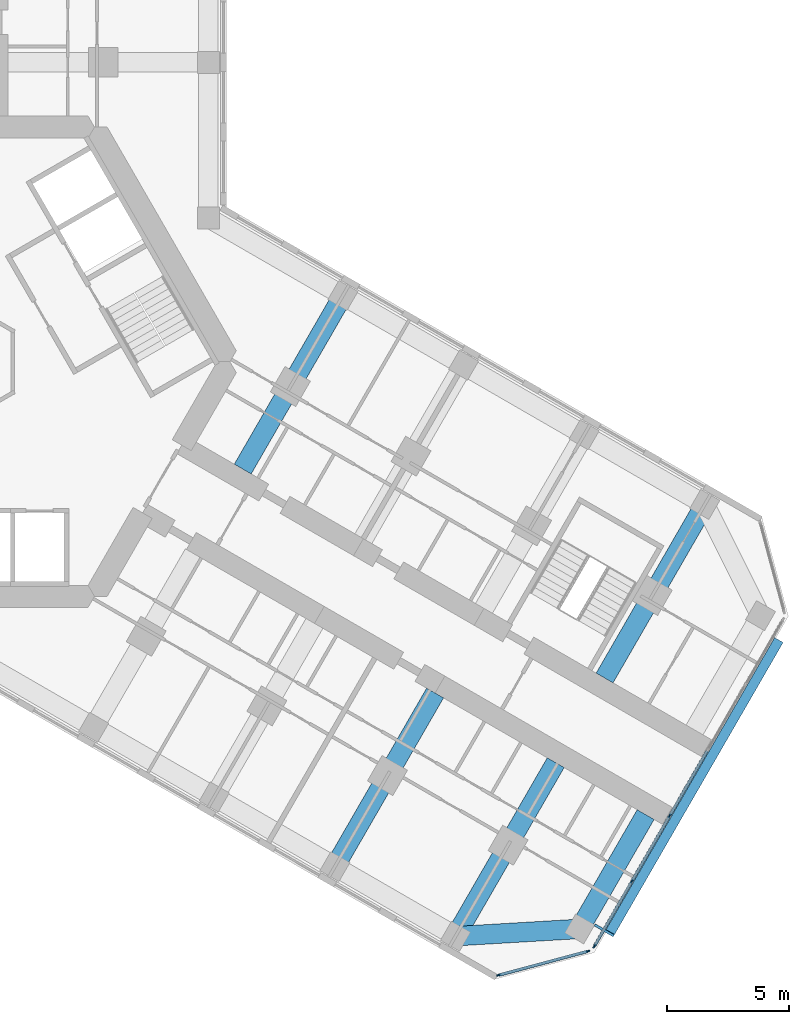
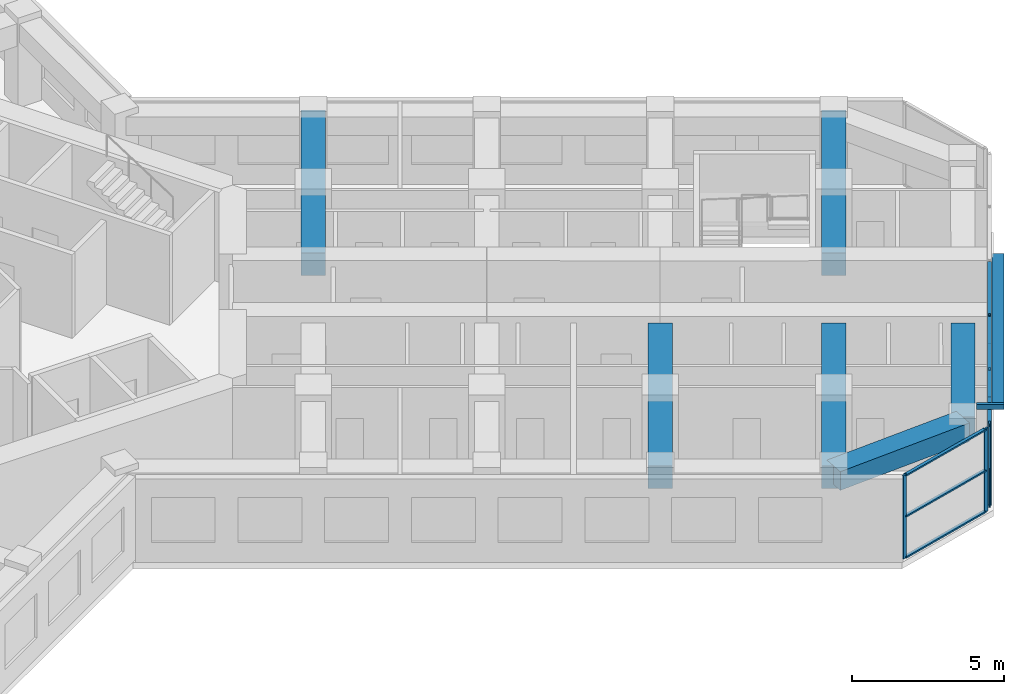
# One storey, part 5 of 19: 16 members, 6 beams, 2 elements without a shape of their own.
"""IFC4 building model written with IfcOpenShell, lengths in metres."""

import ifcopenshell
import ifcopenshell.guid

model = None  # the IFC model being written
_history = None  # IfcOwnerHistory: only IFC2X3 demands one
_inside = {}  # id of a spatial element -> (the spatial element, [elements in it])
_under = {}  # id of a project, library or spatial element -> (it, [spatial elements below it])
_declared = {}  # id of a project -> (the project, [libraries it declares])
_typed = {}  # id of a type object -> (the type object, [elements of that type])
_made_of = {}  # id of a material, layer set ... -> (it, [elements and type objects made of it])


def new_model(schema):
    """Start an empty IFC model of exactly this schema.

    Asked for "IFC4X3", IfcOpenShell would pick the latest addendum, in which some entities
    have other attributes; the version numbers below select the first issue.
    IFC2X3 requires an IfcOwnerHistory on every rooted entity: one is made here for all.
    """
    global model, _history
    if schema == "IFC4X3":
        model = ifcopenshell.file(schema_version=(4, 3, 0, 0))
    else:
        model = ifcopenshell.file(schema=schema)
    _inside.clear()
    _under.clear()
    _declared.clear()
    _typed.clear()
    _made_of.clear()
    _history = None
    if model.schema == "IFC2X3":
        org = make("IfcOrganization", Name="unknown")
        user = make(
            "IfcPersonAndOrganization",
            ThePerson=make("IfcPerson", FamilyName="unknown"),
            TheOrganization=org,
        )
        app = make(
            "IfcApplication",
            ApplicationDeveloper=org,
            Version="unknown",
            ApplicationFullName="unknown",
            ApplicationIdentifier="unknown",
        )
        _history = make(
            "IfcOwnerHistory",
            OwningUser=user,
            OwningApplication=app,
            ChangeAction="ADDED",
            CreationDate=0,
        )
    return model


def make(cls, **values):
    """One entity of the class cls with the attributes given. An attribute that is None is left unset."""
    return model.create_entity(
        cls, **{name: value for name, value in values.items() if value is not None}
    )


def rooted(cls, **values):
    """An entity with a GlobalId (a new one), such as an element, a storey or a relation."""
    return make(cls, GlobalId=ifcopenshell.guid.new(), OwnerHistory=_history, **values)


def si_unit(unit_type, name, prefix=None):
    """IfcSIUnit, for example si_unit("LENGTHUNIT", "METRE", prefix="MILLI")."""
    return make("IfcSIUnit", UnitType=unit_type, Prefix=prefix, Name=name)


def assignment(units):
    """IfcUnitAssignment: the units of a project."""
    return None if units is None else make("IfcUnitAssignment", Units=units)


def point(xyz):
    """IfcCartesianPoint."""
    return None if xyz is None else make("IfcCartesianPoint", Coordinates=xyz)


def direction(xyz):
    """IfcDirection."""
    return None if xyz is None else make("IfcDirection", DirectionRatios=xyz)


def frame(location, z_axis=None, x_axis=None):
    """IfcAxis2Placement3D, a coordinate frame: its origin and axes. An axis left out is left unset."""
    return make(
        "IfcAxis2Placement3D",
        Location=point(location),
        Axis=direction(z_axis),
        RefDirection=direction(x_axis),
    )


def frame_2d(location, x_axis=None):
    """IfcAxis2Placement2D, a coordinate frame in the plane: its origin and x axis."""
    return make(
        "IfcAxis2Placement2D", Location=point(location), RefDirection=direction(x_axis)
    )


def origin():
    """The frame at (0, 0, 0) with its axes left unset."""
    return frame((0.0, 0.0, 0.0))


def origin_2d():
    """The frame at (0, 0) in the plane with its x axis left unset."""
    return frame_2d((0.0, 0.0))


def place(relative_to, where):
    """IfcLocalPlacement: puts the frame where relative to a parent placement (None: the world)."""
    return make(
        "IfcLocalPlacement", PlacementRelTo=relative_to, RelativePlacement=where
    )


def context(
    kind, dimensions, precision=None, world=None, true_north=None, identifier=None
):
    """IfcGeometricRepresentationContext, for example the 3D "Model" context."""
    return make(
        "IfcGeometricRepresentationContext",
        ContextIdentifier=identifier,
        ContextType=kind,
        CoordinateSpaceDimension=dimensions,
        Precision=precision,
        WorldCoordinateSystem=world,
        TrueNorth=true_north,
    )


def subcontext(parent, identifier, kind, view, scale=None):
    """IfcGeometricRepresentationSubContext, for example "Body" below "Model"."""
    return make(
        "IfcGeometricRepresentationSubContext",
        ContextIdentifier=identifier,
        ContextType=kind,
        ParentContext=parent,
        TargetScale=scale,
        TargetView=view,
    )


def project(units=None, contexts=None):
    """IfcProject with its units and contexts."""
    return rooted(
        "IfcProject",
        Name="project",
        RepresentationContexts=contexts,
        UnitsInContext=assignment(units),
    )


def spatial(cls, under=None, at=None, **own):
    """A site, building, storey or space (cls), placed at a placement, below another one or the project."""
    s = rooted(cls, ObjectPlacement=at, **own)
    if under is not None:
        _under.setdefault(under.id(), (under, []))[1].append(s)
    return s


def profile(cls, at=None, kind="AREA", **sizes):
    """A parametric profile (cls). Its sizes go by their IFC names, for example OverallWidth=200.0."""
    return make(cls, ProfileType=kind, Position=at, **sizes)


def rectangle(**sizes):
    """IfcRectangleProfileDef."""
    return profile("IfcRectangleProfileDef", **sizes)


def hollow_rectangle(**sizes):
    """IfcRectangleHollowProfileDef."""
    return profile("IfcRectangleHollowProfileDef", **sizes)


def extrude(swept, where, along, depth):
    """IfcExtrudedAreaSolid: the profile swept, set in the frame where, extruded along a direction by depth."""
    return make(
        "IfcExtrudedAreaSolid",
        SweptArea=swept,
        Position=where,
        ExtrudedDirection=direction(along),
        Depth=depth,
    )


def shape(context_of_items, identifier, shape_type, items):
    """IfcShapeRepresentation: the items that make up one representation, for example the "Body"."""
    return make(
        "IfcShapeRepresentation",
        ContextOfItems=context_of_items,
        RepresentationIdentifier=identifier,
        RepresentationType=shape_type,
        Items=items,
    )


def material(Name=None, Category=None):
    """IfcMaterial."""
    return make("IfcMaterial", Name=Name, Category=Category)


def material_profile(
    of_material, cross_section, Name=None, Category=None, Priority=None
):
    """IfcMaterialProfile: a cross section and its material."""
    return make(
        "IfcMaterialProfile",
        Name=Name,
        Material=of_material,
        Profile=cross_section,
        Priority=Priority,
        Category=Category,
    )


def profile_set(profiles, Name=None, composite=None):
    """IfcMaterialProfileSet."""
    return make(
        "IfcMaterialProfileSet",
        Name=Name,
        MaterialProfiles=profiles,
        CompositeProfile=composite,
    )


def made_of(thing, what):
    """Note that an element or type object is made of a material, layer set ...; save() writes the relation."""
    if what is not None:
        _made_of.setdefault(what.id(), (what, []))[1].append(thing)
    return thing


def type_object(cls, material=None, **own):
    """A type object (cls), such as IfcWallType, which elements share."""
    return made_of(rooted(cls, **own), material)


def element(
    cls,
    number,
    at=None,
    inside=None,
    cuts=None,
    type_object=None,
    material=None,
    context=None,
    identifier="Body",
    shape_type=None,
    held_by="IfcProductDefinitionShape",
    body=None,
    shapes=None,
    **own,
):
    """One element of the class cls, such as IfcWall. Its Tag is "e" and its number.

    at: its placement. inside: the storey or other place that contains it. cuts: it is an
    opening in that element (IfcRelVoidsElement). A single representation is given by context,
    identifier, shape_type and body (its items); several are given by shapes. held_by: the class
    of the entity that holds the representations. save() writes the other relations.
    """
    e = rooted(cls, Tag="e%d" % number, ObjectPlacement=at, **own)
    if body is not None:
        shapes = [shape(context, identifier, shape_type, body)]
    if shapes is not None:
        e.Representation = make(held_by, Representations=shapes)
    if inside is not None:
        _inside.setdefault(inside.id(), (inside, []))[1].append(e)
    if cuts is not None:
        rooted(
            "IfcRelVoidsElement", RelatingBuildingElement=cuts, RelatedOpeningElement=e
        )
    if type_object is not None:
        _typed.setdefault(type_object.id(), (type_object, []))[1].append(e)
    return made_of(e, material)


def aggregate(whole, parts):
    """IfcRelAggregates: a whole, such as a stair, and the parts it consists of."""
    return rooted("IfcRelAggregates", RelatingObject=whole, RelatedObjects=parts)


def save(model, path):
    """Write the relations noted so far, then the file.

    IfcRelAggregates (storeys below a building ...), IfcRelContainedInSpatialStructure (elements
    in a storey), IfcRelDefinesByType, IfcRelAssociatesMaterial and IfcRelDeclares: one each for
    every whole, place, type object, material and project.
    """
    for whole, parts in _under.values():
        aggregate(whole, parts)
    for where, things in _inside.values():
        rooted(
            "IfcRelContainedInSpatialStructure",
            RelatedElements=things,
            RelatingStructure=where,
        )
    for kind, things in _typed.values():
        rooted("IfcRelDefinesByType", RelatedObjects=things, RelatingType=kind)
    for what, things in _made_of.values():
        rooted("IfcRelAssociatesMaterial", RelatedObjects=things, RelatingMaterial=what)
    for by, libraries in _declared.values():
        rooted("IfcRelDeclares", RelatingContext=by, RelatedDefinitions=libraries)
    model.write(path)


model = new_model("IFC4")

# Units and contexts
model_context = context("Model", 3, precision=1e-05, world=origin(), true_north=direction((0.0, 1.0)))
body_context = subcontext(model_context, "Body", "Model", "MODEL_VIEW")
ifc_project = project(units=[si_unit("LENGTHUNIT", "METRE"), si_unit("AREAUNIT", "SQUARE_METRE"), si_unit("VOLUMEUNIT", "CUBIC_METRE"), si_unit("PLANEANGLEUNIT", "RADIAN"), si_unit("MASSUNIT", "GRAM", prefix="KILO")], contexts=[model_context])

# Site, building, storey
site_placement = place(None, origin())
site = spatial("IfcSite", under=ifc_project, at=site_placement, CompositionType="ELEMENT")
building_placement = place(site_placement, origin())
building = spatial("IfcBuilding", under=site, at=building_placement, Name="Kosmar Iwan School Tower", CompositionType="ELEMENT")
storey_placement = place(building_placement, frame((0.0, 0.0, 172.39990234375)))
storey = spatial("IfcBuildingStorey", under=building, at=storey_placement, Name="L43", CompositionType="ELEMENT", Elevation=172.39990234375)

# Members
ifc_material_1 = material(Name="Black anodised aluminium", Category="aluminium")
ifc_material_profile_1 = material_profile(ifc_material_1, rectangle(XDim=0.10009765625, YDim=0.39990234375, at=origin_2d()), Name="FIN 100x400")
ifc_profile_set_1 = profile_set([ifc_material_profile_1], Name="Black anodised aluminium")
member_type_1 = type_object("IfcMemberType", Name="Diagonal fin 100x400", PredefinedType="USERDEFINED", material=ifc_profile_set_1)
member_1_placement = place(storey_placement, frame((33.54345703125, -11.40087890625, -0.14990234375), z_axis=(-0.483793446988, -0.837970316603, 0.25248692866), x_axis=(0.126241714543, 0.218661104574, 0.96760030532)))
element("IfcMember", 1, at=member_1_placement, inside=storey, type_object=member_type_1, Name="Diagonal fin L43-F03", ObjectType="FIN", PredefinedType="USERDEFINED", context=body_context, shape_type="SweptSolid", body=[
    extrude(rectangle(XDim=0.10009765625, YDim=0.39990234375, at=origin_2d()), origin(), (0.0, 0.0, 1.0), 14.258544921875),
])
ifc_material_2 = material(Name="Steel S355", Category="steel")
ifc_material_profile_2 = material_profile(ifc_material_2, hollow_rectangle(XDim=0.10009765625, YDim=0.199951171875, WallThickness=0.008056640625, at=origin_2d()), Name="RHS 200x100x8")
ifc_profile_set_2 = profile_set([ifc_material_profile_2], Name="Steel S355")
member_type_2 = type_object("IfcMemberType", Name="Fin bracket RHS 200x100", PredefinedType="USERDEFINED", material=ifc_profile_set_2)
member_2_placement = place(storey_placement, frame((26.01318359375, -23.0439453125, 3.47509765625), z_axis=(0.866013897511, -0.50001992892, 0.0), x_axis=(0.50001992892, 0.866013897511, 0.0)))
element("IfcMember", 2, at=member_2_placement, inside=storey, type_object=member_type_2, Name="Fin bracket L44", ObjectType="FIN BRACKET", PredefinedType="USERDEFINED", context=body_context, shape_type="SweptSolid", body=[
    extrude(hollow_rectangle(XDim=0.10009765625, YDim=0.199951171875, WallThickness=0.008056640625, at=origin_2d()), origin(), (0.0, 0.0, 1.0), 0.89990234375),
])

# Curtain wall, members
ifc_material_3 = material(Name="Dark glass in black aluminium frame", Category="aluminium")
curtain_wall_type_1 = type_object("IfcCurtainWallType", Name="Chamfer curtain wall dark glass", PredefinedType="USERDEFINED", material=ifc_material_3)
curtain_wall_1_placement = place(storey_placement, origin())
curtain_wall_1 = element("IfcCurtainWall", 3, at=curtain_wall_1_placement, inside=storey, type_object=curtain_wall_type_1, Name="Curtain wall L43-F02", ObjectType="FACETED CURTAIN WALL", PredefinedType="USERDEFINED")
ifc_material_4 = material(Name="Black anodised aluminium", Category="aluminium")
ifc_material_profile_3 = material_profile(ifc_material_4, rectangle(XDim=0.06005859375, YDim=0.159912109375, at=origin_2d()), Name="MULLION 60x160")
ifc_profile_set_3 = profile_set([ifc_material_profile_3], Name="Black anodised aluminium")
member_type_3 = type_object("IfcMemberType", Name="Mullion 60x160", PredefinedType="MULLION", material=ifc_profile_set_3)
member_3_placement = place(storey_placement, frame((22.0830078125, -25.102294921875, 0.0), z_axis=(0.0, 0.0, 1.0), x_axis=(-0.258818861462, 0.965925875495, 0.0)))
member_3 = element("IfcMember", 4, at=member_3_placement, type_object=member_type_3, Name="CW2 mullion 1", PredefinedType="MULLION", context=body_context, shape_type="SweptSolid", body=[
    extrude(rectangle(XDim=0.06005859375, YDim=0.159912109375, at=origin_2d()), origin(), (0.0, 0.0, 1.0), 3.35009765625),
])
member_4_placement = place(storey_placement, frame((25.733154296875, -24.124267578125, 0.0), z_axis=(0.0, 0.0, 1.0), x_axis=(-0.258818861462, 0.965925875495, 0.0)))
member_4 = element("IfcMember", 5, at=member_4_placement, type_object=member_type_3, Name="CW2 mullion 2", PredefinedType="MULLION", context=body_context, shape_type="SweptSolid", body=[
    extrude(rectangle(XDim=0.06005859375, YDim=0.159912109375, at=origin_2d()), origin(), (0.0, 0.0, 1.0), 3.35009765625),
])

ifc_material_5 = material(Name="Dark glass in black aluminium frame", Category="aluminium")
curtain_wall_type_2 = type_object("IfcCurtainWallType", Name="Tower curtain wall dark glass", PredefinedType="USERDEFINED", material=ifc_material_5)
curtain_wall_2_placement = place(storey_placement, origin())
curtain_wall_2 = element("IfcCurtainWall", 6, at=curtain_wall_2_placement, inside=storey, type_object=curtain_wall_type_2, Name="Curtain wall L43-F03", ObjectType="UNITISED CURTAIN WALL", PredefinedType="USERDEFINED")
member_5_placement = place(storey_placement, frame((25.9970703125, -23.921630859375, 0.0), z_axis=(0.0, 0.0, 1.0), x_axis=(-0.866025405329, 0.499999997325, 0.0)))
member_5 = element("IfcMember", 7, at=member_5_placement, type_object=member_type_3, Name="CW1 mullion 1", PredefinedType="MULLION", context=body_context, shape_type="SweptSolid", body=[
    extrude(rectangle(XDim=0.06005859375, YDim=0.159912109375, at=origin_2d()), origin(), (0.0, 0.0, 1.0), 3.35009765625),
])
member_6_placement = place(storey_placement, frame((27.53173828125, -21.263671875, 0.0), z_axis=(0.0, 0.0, 1.0), x_axis=(-0.866025405329, 0.499999997325, 0.0)))
member_6 = element("IfcMember", 8, at=member_6_placement, type_object=member_type_3, Name="CW1 mullion 2", PredefinedType="MULLION", context=body_context, shape_type="SweptSolid", body=[
    extrude(rectangle(XDim=0.06005859375, YDim=0.159912109375, at=origin_2d()), origin(), (0.0, 0.0, 1.0), 3.35009765625),
])
member_7_placement = place(storey_placement, frame((29.081298828125, -18.57958984375, 0.0), z_axis=(0.0, 0.0, 1.0), x_axis=(-0.866025405329, 0.499999997325, 0.0)))
member_7 = element("IfcMember", 9, at=member_7_placement, type_object=member_type_3, Name="CW1 mullion 3", PredefinedType="MULLION", context=body_context, shape_type="SweptSolid", body=[
    extrude(rectangle(XDim=0.06005859375, YDim=0.159912109375, at=origin_2d()), origin(), (0.0, 0.0, 1.0), 3.35009765625),
])

# Beams
ifc_material_6 = material(Name="Concrete C50/60", Category="concrete")
ifc_material_profile_4 = material_profile(ifc_material_6, rectangle(XDim=0.800048828125, YDim=0.75, at=origin_2d()), Name="RC 800x750")
ifc_profile_set_4 = profile_set([ifc_material_profile_4], Name="Concrete C50/60")
beam_type_1 = type_object("IfcBeamType", Name="RC tip beam 800x750", PredefinedType="BEAM", material=ifc_profile_set_4)
beam_1_placement = place(storey_placement, frame((20.31787109375, -23.508544921875, 2.97509765625), z_axis=(0.998260616478, 0.058955420358, 0.0), x_axis=(-0.058955420358, 0.998260616478, 0.0)))
element("IfcBeam", 10, at=beam_1_placement, inside=storey, type_object=beam_type_1, Name="Tip beam CR", PredefinedType="BEAM", context=body_context, shape_type="SweptSolid", body=[
    extrude(rectangle(XDim=0.800048828125, YDim=0.75, at=origin_2d()), origin(), (0.0, 0.0, 1.0), 5.08935546875),
])
beam_2_placement = place(storey_placement, frame((25.3984375, -23.20849609375, 2.97509765625), z_axis=(0.499995103361, 0.866028230842, 0.0), x_axis=(-0.866028230842, 0.499995103361, 0.0)))
element("IfcBeam", 11, at=beam_2_placement, inside=storey, type_object=beam_type_1, Name="Tip beam CR to corridor wall", PredefinedType="BEAM", context=body_context, shape_type="SweptSolid", body=[
    extrude(rectangle(XDim=0.800048828125, YDim=0.75, at=origin_2d()), origin(), (0.0, 0.0, 1.0), 5.39990234375),
])
ifc_material_7 = material(Name="Concrete C50/60", Category="concrete")
ifc_material_profile_5 = material_profile(ifc_material_7, rectangle(XDim=0.800048828125, YDim=0.89990234375, at=origin_2d()), Name="RC 800x900")
ifc_profile_set_5 = profile_set([ifc_material_profile_5], Name="Concrete C50/60")
beam_type_2 = type_object("IfcBeamType", Name="RC transverse beam 800x900", PredefinedType="BEAM", material=ifc_profile_set_5)
for number, where, z_axis, x_axis, name in (
    (12, (15.708740234375, 2.70849609375, 2.900146484375), (-0.499978459874, -0.866037839625, 0.0), (0.866037839625, -0.499978459874, 0.0), "Transverse beam CL1"),
    (13, (30.517822265625, -5.841552734375, 2.900146484375), (-0.500013681986, -0.866017504342, 0.0), (0.866017504342, -0.500013681986, 0.0), "Transverse beam CL4"),
    (14, (15.381591796875, -20.658447265625, 2.900146484375), (0.49999135188, 0.866030396721, 0.0), (-0.866030396721, 0.49999135188, 0.0), "Transverse beam CR3"),
    (15, (20.31787109375, -23.508544921875, 2.900146484375), (0.499978459874, 0.866037839625, 0.0), (-0.866037839625, 0.499978459874, 0.0), "Transverse beam CR4"),
):
    element("IfcBeam", number, at=place(storey_placement, frame(where, z_axis=z_axis, x_axis=x_axis)), inside=storey, type_object=beam_type_2, Name=name, PredefinedType="BEAM", context=body_context, shape_type="SweptSolid", body=[
        extrude(rectangle(XDim=0.800048828125, YDim=0.89990234375, at=origin_2d()), origin(), (0.0, 0.0, 1.0), 8.199951171875),
    ])

# Member
ifc_material_8 = material(Name="Black anodised aluminium", Category="aluminium")
ifc_material_profile_6 = material_profile(ifc_material_8, rectangle(XDim=0.1201171875, YDim=0.06005859375, at=origin_2d()), Name="TRANSOM 60x120")
ifc_profile_set_6 = profile_set([ifc_material_profile_6], Name="Black anodised aluminium")
member_type_4 = type_object("IfcMemberType", Name="Transom 60x120", PredefinedType="USERDEFINED", material=ifc_profile_set_6)
member_8_placement = place(storey_placement, frame((22.11181640625, -25.094482421875, 0.030029296875), z_axis=(0.965923731726, 0.258826861991, 0.0), x_axis=(-0.258826861991, 0.965923731726, 0.0)))
member_8 = element("IfcMember", 16, at=member_8_placement, type_object=member_type_4, Name="CW2 transom 1.1", ObjectType="TRANSOM", PredefinedType="USERDEFINED", context=body_context, shape_type="SweptSolid", body=[
    extrude(rectangle(XDim=0.1201171875, YDim=0.06005859375, at=origin_2d()), origin(), (0.0, 0.0, 1.0), 3.71923828125),
])

member_9_placement = place(storey_placement, frame((22.11181640625, -25.094482421875, 1.675048828125), z_axis=(0.965923731726, 0.258826861991, 0.0), x_axis=(-0.258826861991, 0.965923731726, 0.0)))
member_9 = element("IfcMember", 17, at=member_9_placement, type_object=member_type_4, Name="CW2 transom 1.2", ObjectType="TRANSOM", PredefinedType="USERDEFINED", context=body_context, shape_type="SweptSolid", body=[
    extrude(rectangle(XDim=0.1201171875, YDim=0.06005859375, at=origin_2d()), origin(), (0.0, 0.0, 1.0), 3.71923828125),
])

member_10_placement = place(storey_placement, frame((22.11181640625, -25.094482421875, 3.320068359375), z_axis=(0.965923731726, 0.258826861991, 0.0), x_axis=(-0.258826861991, 0.965923731726, 0.0)))
member_10 = element("IfcMember", 18, at=member_10_placement, type_object=member_type_4, Name="CW2 transom 1.3", ObjectType="TRANSOM", PredefinedType="USERDEFINED", context=body_context, shape_type="SweptSolid", body=[
    extrude(rectangle(XDim=0.1201171875, YDim=0.06005859375, at=origin_2d()), origin(), (0.0, 0.0, 1.0), 3.71923828125),
])

aggregate(curtain_wall_1, [member_3, member_4, member_8, member_9, member_10])

member_11_placement = place(storey_placement, frame((26.01220703125, -23.895751953125, 0.030029296875), z_axis=(0.499986971506, 0.866032925658, 0.0), x_axis=(-0.866032925658, 0.499986971506, 0.0)))
member_11 = element("IfcMember", 19, at=member_11_placement, type_object=member_type_4, Name="CW1 transom 1.1", ObjectType="TRANSOM", PredefinedType="USERDEFINED", context=body_context, shape_type="SweptSolid", body=[
    extrude(rectangle(XDim=0.1201171875, YDim=0.06005859375, at=origin_2d()), origin(), (0.0, 0.0, 1.0), 3.00927734375),
])

member_12_placement = place(storey_placement, frame((26.01220703125, -23.895751953125, 3.320068359375), z_axis=(0.499986971506, 0.866032925658, 0.0), x_axis=(-0.866032925658, 0.499986971506, 0.0)))
member_12 = element("IfcMember", 20, at=member_12_placement, type_object=member_type_4, Name="CW1 transom 1.2", ObjectType="TRANSOM", PredefinedType="USERDEFINED", context=body_context, shape_type="SweptSolid", body=[
    extrude(rectangle(XDim=0.1201171875, YDim=0.06005859375, at=origin_2d()), origin(), (0.0, 0.0, 1.0), 3.00927734375),
])

member_13_placement = place(storey_placement, frame((27.546875, -21.237548828125, 0.030029296875), z_axis=(0.499975102327, 0.866039777986, 0.0), x_axis=(-0.866039777986, 0.499975102327, 0.0)))
member_13 = element("IfcMember", 21, at=member_13_placement, type_object=member_type_4, Name="CW1 transom 2.1", ObjectType="TRANSOM", PredefinedType="USERDEFINED", context=body_context, shape_type="SweptSolid", body=[
    extrude(rectangle(XDim=0.1201171875, YDim=0.06005859375, at=origin_2d()), origin(), (0.0, 0.0, 1.0), 3.039306640625),
])

member_14_placement = place(storey_placement, frame((27.546875, -21.237548828125, 3.320068359375), z_axis=(0.499975102327, 0.866039777986, 0.0), x_axis=(-0.866039777986, 0.499975102327, 0.0)))
member_14 = element("IfcMember", 22, at=member_14_placement, type_object=member_type_4, Name="CW1 transom 2.2", ObjectType="TRANSOM", PredefinedType="USERDEFINED", context=body_context, shape_type="SweptSolid", body=[
    extrude(rectangle(XDim=0.1201171875, YDim=0.06005859375, at=origin_2d()), origin(), (0.0, 0.0, 1.0), 3.039306640625),
])

member_15_placement = place(storey_placement, frame((29.096435546875, -18.553466796875, 0.030029296875), z_axis=(0.499975102327, 0.866039777986, 0.0), x_axis=(-0.866039777986, 0.499975102327, 0.0)))
member_15 = element("IfcMember", 23, at=member_15_placement, type_object=member_type_4, Name="CW1 transom 3.1", ObjectType="TRANSOM", PredefinedType="USERDEFINED", context=body_context, shape_type="SweptSolid", body=[
    extrude(rectangle(XDim=0.1201171875, YDim=0.06005859375, at=origin_2d()), origin(), (0.0, 0.0, 1.0), 3.039306640625),
])

member_16_placement = place(storey_placement, frame((29.096435546875, -18.553466796875, 3.320068359375), z_axis=(0.499975102327, 0.866039777986, 0.0), x_axis=(-0.866039777986, 0.499975102327, 0.0)))
member_16 = element("IfcMember", 24, at=member_16_placement, type_object=member_type_4, Name="CW1 transom 3.2", ObjectType="TRANSOM", PredefinedType="USERDEFINED", context=body_context, shape_type="SweptSolid", body=[
    extrude(rectangle(XDim=0.1201171875, YDim=0.06005859375, at=origin_2d()), origin(), (0.0, 0.0, 1.0), 3.039306640625),
])

aggregate(curtain_wall_2, [member_5, member_6, member_7, member_11, member_12, member_13, member_14, member_15, member_16])

save(model, "model.ifc")
